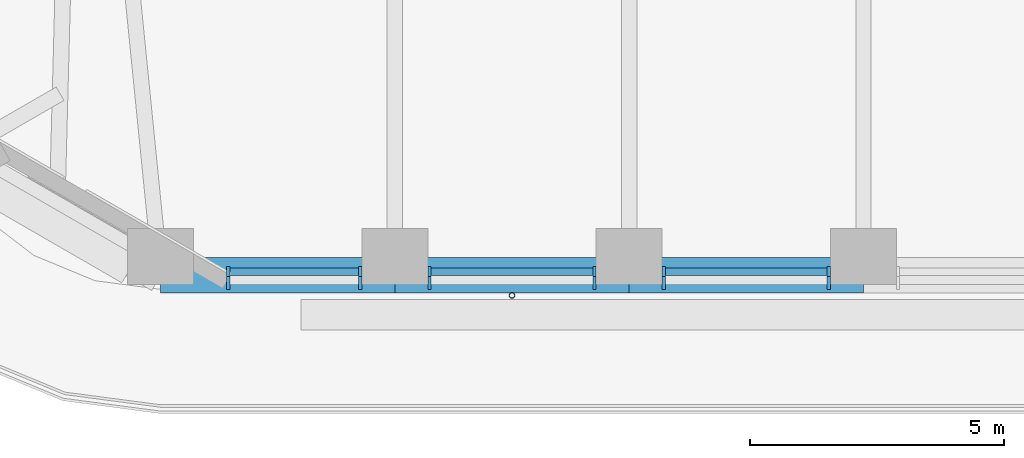
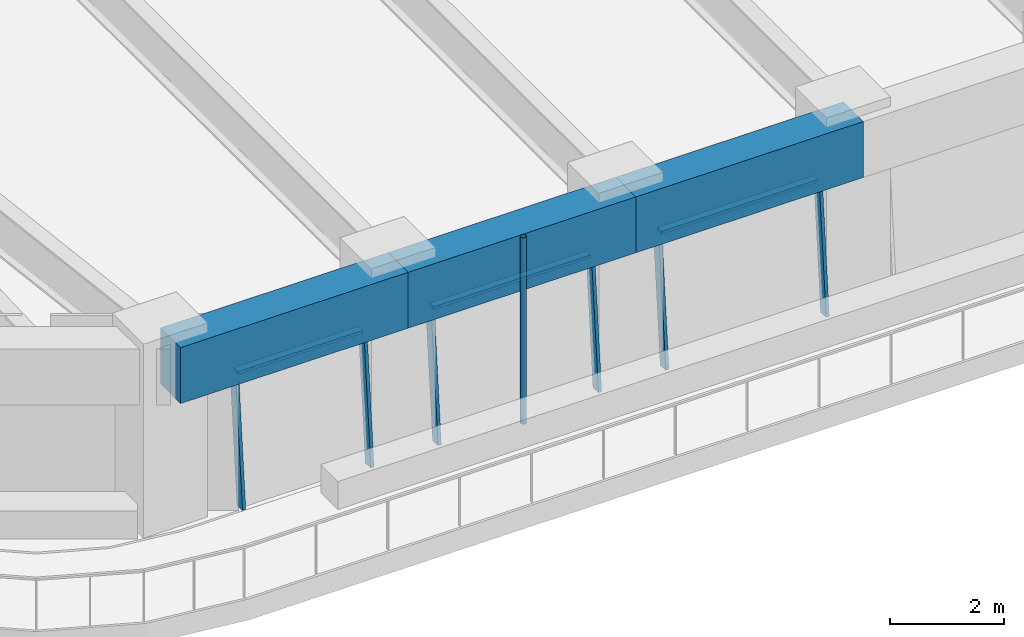
# One storey, part 2 of 20: 10 members, 3 beams, 3 elements without a shape of their own.
"""IFC4 building model written with IfcOpenShell, lengths in metres."""

import ifcopenshell
import ifcopenshell.guid

model = None  # the IFC model being written
_history = None  # IfcOwnerHistory: only IFC2X3 demands one
_inside = {}  # id of a spatial element -> (the spatial element, [elements in it])
_under = {}  # id of a project, library or spatial element -> (it, [spatial elements below it])
_declared = {}  # id of a project -> (the project, [libraries it declares])
_typed = {}  # id of a type object -> (the type object, [elements of that type])
_made_of = {}  # id of a material, layer set ... -> (it, [elements and type objects made of it])


def new_model(schema):
    """Start an empty IFC model of exactly this schema.

    Asked for "IFC4X3", IfcOpenShell would pick the latest addendum, in which some entities
    have other attributes; the version numbers below select the first issue.
    IFC2X3 requires an IfcOwnerHistory on every rooted entity: one is made here for all.
    """
    global model, _history
    if schema == "IFC4X3":
        model = ifcopenshell.file(schema_version=(4, 3, 0, 0))
    else:
        model = ifcopenshell.file(schema=schema)
    _inside.clear()
    _under.clear()
    _declared.clear()
    _typed.clear()
    _made_of.clear()
    _history = None
    if model.schema == "IFC2X3":
        org = make("IfcOrganization", Name="unknown")
        user = make(
            "IfcPersonAndOrganization",
            ThePerson=make("IfcPerson", FamilyName="unknown"),
            TheOrganization=org,
        )
        app = make(
            "IfcApplication",
            ApplicationDeveloper=org,
            Version="unknown",
            ApplicationFullName="unknown",
            ApplicationIdentifier="unknown",
        )
        _history = make(
            "IfcOwnerHistory",
            OwningUser=user,
            OwningApplication=app,
            ChangeAction="ADDED",
            CreationDate=0,
        )
    return model


def make(cls, **values):
    """One entity of the class cls with the attributes given. An attribute that is None is left unset."""
    return model.create_entity(
        cls, **{name: value for name, value in values.items() if value is not None}
    )


def rooted(cls, **values):
    """An entity with a GlobalId (a new one), such as an element, a storey or a relation."""
    return make(cls, GlobalId=ifcopenshell.guid.new(), OwnerHistory=_history, **values)


def si_unit(unit_type, name, prefix=None):
    """IfcSIUnit, for example si_unit("LENGTHUNIT", "METRE", prefix="MILLI")."""
    return make("IfcSIUnit", UnitType=unit_type, Prefix=prefix, Name=name)


def assignment(units):
    """IfcUnitAssignment: the units of a project."""
    return None if units is None else make("IfcUnitAssignment", Units=units)


def point(xyz):
    """IfcCartesianPoint."""
    return None if xyz is None else make("IfcCartesianPoint", Coordinates=xyz)


def direction(xyz):
    """IfcDirection."""
    return None if xyz is None else make("IfcDirection", DirectionRatios=xyz)


def frame(location, z_axis=None, x_axis=None):
    """IfcAxis2Placement3D, a coordinate frame: its origin and axes. An axis left out is left unset."""
    return make(
        "IfcAxis2Placement3D",
        Location=point(location),
        Axis=direction(z_axis),
        RefDirection=direction(x_axis),
    )


def frame_2d(location, x_axis=None):
    """IfcAxis2Placement2D, a coordinate frame in the plane: its origin and x axis."""
    return make(
        "IfcAxis2Placement2D", Location=point(location), RefDirection=direction(x_axis)
    )


def origin():
    """The frame at (0, 0, 0) with its axes left unset."""
    return frame((0.0, 0.0, 0.0))


def origin_2d():
    """The frame at (0, 0) in the plane with its x axis left unset."""
    return frame_2d((0.0, 0.0))


def place(relative_to, where):
    """IfcLocalPlacement: puts the frame where relative to a parent placement (None: the world)."""
    return make(
        "IfcLocalPlacement", PlacementRelTo=relative_to, RelativePlacement=where
    )


def context(
    kind, dimensions, precision=None, world=None, true_north=None, identifier=None
):
    """IfcGeometricRepresentationContext, for example the 3D "Model" context."""
    return make(
        "IfcGeometricRepresentationContext",
        ContextIdentifier=identifier,
        ContextType=kind,
        CoordinateSpaceDimension=dimensions,
        Precision=precision,
        WorldCoordinateSystem=world,
        TrueNorth=true_north,
    )


def subcontext(parent, identifier, kind, view, scale=None):
    """IfcGeometricRepresentationSubContext, for example "Body" below "Model"."""
    return make(
        "IfcGeometricRepresentationSubContext",
        ContextIdentifier=identifier,
        ContextType=kind,
        ParentContext=parent,
        TargetScale=scale,
        TargetView=view,
    )


def project(units=None, contexts=None):
    """IfcProject with its units and contexts."""
    return rooted(
        "IfcProject",
        Name="project",
        RepresentationContexts=contexts,
        UnitsInContext=assignment(units),
    )


def spatial(cls, under=None, at=None, **own):
    """A site, building, storey or space (cls), placed at a placement, below another one or the project."""
    s = rooted(cls, ObjectPlacement=at, **own)
    if under is not None:
        _under.setdefault(under.id(), (under, []))[1].append(s)
    return s


def profile(cls, at=None, kind="AREA", **sizes):
    """A parametric profile (cls). Its sizes go by their IFC names, for example OverallWidth=200.0."""
    return make(cls, ProfileType=kind, Position=at, **sizes)


def rectangle(**sizes):
    """IfcRectangleProfileDef."""
    return profile("IfcRectangleProfileDef", **sizes)


def hollow_circle(**sizes):
    """IfcCircleHollowProfileDef."""
    return profile("IfcCircleHollowProfileDef", **sizes)


def extrude(swept, where, along, depth):
    """IfcExtrudedAreaSolid: the profile swept, set in the frame where, extruded along a direction by depth."""
    return make(
        "IfcExtrudedAreaSolid",
        SweptArea=swept,
        Position=where,
        ExtrudedDirection=direction(along),
        Depth=depth,
    )


def shape(context_of_items, identifier, shape_type, items):
    """IfcShapeRepresentation: the items that make up one representation, for example the "Body"."""
    return make(
        "IfcShapeRepresentation",
        ContextOfItems=context_of_items,
        RepresentationIdentifier=identifier,
        RepresentationType=shape_type,
        Items=items,
    )


def material(Name=None, Category=None):
    """IfcMaterial."""
    return make("IfcMaterial", Name=Name, Category=Category)


def material_profile(
    of_material, cross_section, Name=None, Category=None, Priority=None
):
    """IfcMaterialProfile: a cross section and its material."""
    return make(
        "IfcMaterialProfile",
        Name=Name,
        Material=of_material,
        Profile=cross_section,
        Priority=Priority,
        Category=Category,
    )


def profile_set(profiles, Name=None, composite=None):
    """IfcMaterialProfileSet."""
    return make(
        "IfcMaterialProfileSet",
        Name=Name,
        MaterialProfiles=profiles,
        CompositeProfile=composite,
    )


def made_of(thing, what):
    """Note that an element or type object is made of a material, layer set ...; save() writes the relation."""
    if what is not None:
        _made_of.setdefault(what.id(), (what, []))[1].append(thing)
    return thing


def type_object(cls, material=None, **own):
    """A type object (cls), such as IfcWallType, which elements share."""
    return made_of(rooted(cls, **own), material)


def element(
    cls,
    number,
    at=None,
    inside=None,
    cuts=None,
    type_object=None,
    material=None,
    context=None,
    identifier="Body",
    shape_type=None,
    held_by="IfcProductDefinitionShape",
    body=None,
    shapes=None,
    **own,
):
    """One element of the class cls, such as IfcWall. Its Tag is "e" and its number.

    at: its placement. inside: the storey or other place that contains it. cuts: it is an
    opening in that element (IfcRelVoidsElement). A single representation is given by context,
    identifier, shape_type and body (its items); several are given by shapes. held_by: the class
    of the entity that holds the representations. save() writes the other relations.
    """
    e = rooted(cls, Tag="e%d" % number, ObjectPlacement=at, **own)
    if body is not None:
        shapes = [shape(context, identifier, shape_type, body)]
    if shapes is not None:
        e.Representation = make(held_by, Representations=shapes)
    if inside is not None:
        _inside.setdefault(inside.id(), (inside, []))[1].append(e)
    if cuts is not None:
        rooted(
            "IfcRelVoidsElement", RelatingBuildingElement=cuts, RelatedOpeningElement=e
        )
    if type_object is not None:
        _typed.setdefault(type_object.id(), (type_object, []))[1].append(e)
    return made_of(e, material)


def aggregate(whole, parts):
    """IfcRelAggregates: a whole, such as a stair, and the parts it consists of."""
    return rooted("IfcRelAggregates", RelatingObject=whole, RelatedObjects=parts)


def save(model, path):
    """Write the relations noted so far, then the file.

    IfcRelAggregates (storeys below a building ...), IfcRelContainedInSpatialStructure (elements
    in a storey), IfcRelDefinesByType, IfcRelAssociatesMaterial and IfcRelDeclares: one each for
    every whole, place, type object, material and project.
    """
    for whole, parts in _under.values():
        aggregate(whole, parts)
    for where, things in _inside.values():
        rooted(
            "IfcRelContainedInSpatialStructure",
            RelatedElements=things,
            RelatingStructure=where,
        )
    for kind, things in _typed.values():
        rooted("IfcRelDefinesByType", RelatedObjects=things, RelatingType=kind)
    for what, things in _made_of.values():
        rooted("IfcRelAssociatesMaterial", RelatedObjects=things, RelatingMaterial=what)
    for by, libraries in _declared.values():
        rooted("IfcRelDeclares", RelatingContext=by, RelatedDefinitions=libraries)
    model.write(path)


model = new_model("IFC4")

# Units and contexts
model_context = context("Model", 3, precision=1e-05, world=origin(), true_north=direction((0.0, 1.0)))
body_context = subcontext(model_context, "Body", "Model", "MODEL_VIEW")
ifc_project = project(units=[si_unit("LENGTHUNIT", "METRE"), si_unit("AREAUNIT", "SQUARE_METRE"), si_unit("VOLUMEUNIT", "CUBIC_METRE"), si_unit("PLANEANGLEUNIT", "RADIAN"), si_unit("MASSUNIT", "GRAM", prefix="KILO")], contexts=[model_context])

# Site, building, storey
site_placement = place(None, origin())
site = spatial("IfcSite", under=ifc_project, at=site_placement, CompositionType="ELEMENT")
building_placement = place(site_placement, origin())
building = spatial("IfcBuilding", under=site, at=building_placement, Name="Tarfa Lantern Tower", CompositionType="ELEMENT")
storey_placement = place(building_placement, frame((0.0, 0.0, 253.300048828125)))
storey = spatial("IfcBuildingStorey", under=building, at=storey_placement, Name="L57", CompositionType="ELEMENT", Elevation=253.300048828125)

# Curtain wall, members
ifc_material_1 = material(Name="Aluminium framed curtain wall", Category="aluminium")
curtain_wall_type = type_object("IfcCurtainWallType", Name="CW3 CANTED GLAZING HIGH ZONE 2800", PredefinedType="USERDEFINED", material=ifc_material_1)
curtain_wall_1_placement = place(storey_placement, origin())
curtain_wall_1 = element("IfcCurtainWall", 1, at=curtain_wall_1_placement, inside=storey, type_object=curtain_wall_type, Name="CW3 S L57", ObjectType="CURTAIN WALL", PredefinedType="USERDEFINED")
ifc_material_2 = material(Name="Aluminium mullion", Category="aluminium")
ifc_material_profile_1 = material_profile(ifc_material_2, rectangle(XDim=0.06494140625, YDim=0.199951171875, at=origin_2d()), Name="AL MULLION 65x200")
ifc_profile_set_1 = profile_set([ifc_material_profile_1], Name="Aluminium mullion")
member_type_1 = type_object("IfcMemberType", Name="CWM1 MULLION 65x200", PredefinedType="MULLION", material=ifc_profile_set_1)
member_1_placement = place(storey_placement, frame((-12.52392578125, -28.89990234375, 0.0), z_axis=(0.0, 0.088930399417, 0.996037842685), x_axis=(-1.0, 0.0, 0.0)))
member_1 = element("IfcMember", 2, at=member_1_placement, type_object=member_type_1, Name="CW3 mullion 1", PredefinedType="MULLION", context=body_context, shape_type="SweptSolid", body=[
    extrude(rectangle(XDim=0.06494140625, YDim=0.199951171875, at=origin_2d()), origin(), (0.0, 0.0, 1.0), 2.811279296875),
])
member_2_placement = place(storey_placement, frame((-9.920166015625, -28.89990234375, 0.0), z_axis=(0.0, 0.088930399417, 0.996037842685), x_axis=(-1.0, 0.0, 0.0)))
member_2 = element("IfcMember", 3, at=member_2_placement, type_object=member_type_1, Name="CW3 mullion 2", PredefinedType="MULLION", context=body_context, shape_type="SweptSolid", body=[
    extrude(rectangle(XDim=0.06494140625, YDim=0.199951171875, at=origin_2d()), origin(), (0.0, 0.0, 1.0), 2.811279296875),
])

curtain_wall_2_placement = place(storey_placement, origin())
curtain_wall_2 = element("IfcCurtainWall", 4, at=curtain_wall_2_placement, inside=storey, type_object=curtain_wall_type, Name="CW3 S L57", ObjectType="CURTAIN WALL", PredefinedType="USERDEFINED")
member_3_placement = place(storey_placement, frame((-8.55517578125, -28.89990234375, 0.0), z_axis=(0.0, 0.088930399417, 0.996037842685), x_axis=(-1.0, 0.0, 0.0)))
member_3 = element("IfcMember", 5, at=member_3_placement, type_object=member_type_1, Name="CW3 mullion 1", PredefinedType="MULLION", context=body_context, shape_type="SweptSolid", body=[
    extrude(rectangle(XDim=0.06494140625, YDim=0.199951171875, at=origin_2d()), origin(), (0.0, 0.0, 1.0), 2.811279296875),
])
member_4_placement = place(storey_placement, frame((-5.30126953125, -28.89990234375, 0.0), z_axis=(0.0, 0.088930399417, 0.996037842685), x_axis=(-1.0, 0.0, 0.0)))
member_4 = element("IfcMember", 6, at=member_4_placement, type_object=member_type_1, Name="CW3 mullion 2", PredefinedType="MULLION", context=body_context, shape_type="SweptSolid", body=[
    extrude(rectangle(XDim=0.06494140625, YDim=0.199951171875, at=origin_2d()), origin(), (0.0, 0.0, 1.0), 2.811279296875),
])

curtain_wall_3_placement = place(storey_placement, origin())
curtain_wall_3 = element("IfcCurtainWall", 7, at=curtain_wall_3_placement, inside=storey, type_object=curtain_wall_type, Name="CW3 S L57", ObjectType="CURTAIN WALL", PredefinedType="USERDEFINED")
member_5_placement = place(storey_placement, frame((-3.936279296875, -28.89990234375, 0.0), z_axis=(0.0, 0.088930399417, 0.996037842685), x_axis=(-1.0, 0.0, 0.0)))
member_5 = element("IfcMember", 8, at=member_5_placement, type_object=member_type_1, Name="CW3 mullion 1", PredefinedType="MULLION", context=body_context, shape_type="SweptSolid", body=[
    extrude(rectangle(XDim=0.06494140625, YDim=0.199951171875, at=origin_2d()), origin(), (0.0, 0.0, 1.0), 2.811279296875),
])
member_6_placement = place(storey_placement, frame((-0.6826171875, -28.89990234375, 0.0), z_axis=(0.0, 0.088930399417, 0.996037842685), x_axis=(-1.0, 0.0, 0.0)))
member_6 = element("IfcMember", 9, at=member_6_placement, type_object=member_type_1, Name="CW3 mullion 2", PredefinedType="MULLION", context=body_context, shape_type="SweptSolid", body=[
    extrude(rectangle(XDim=0.06494140625, YDim=0.199951171875, at=origin_2d()), origin(), (0.0, 0.0, 1.0), 2.811279296875),
])

# Member
ifc_material_3 = material(Name="Aluminium transom", Category="aluminium")
ifc_material_profile_2 = material_profile(ifc_material_3, rectangle(XDim=0.14990234375, YDim=0.06494140625, at=origin_2d()), Name="AL TRANSOM 150x65")
ifc_profile_set_2 = profile_set([ifc_material_profile_2], Name="Aluminium transom")
member_type_2 = type_object("IfcMemberType", Name="CWT1 TRANSOM 150x65", PredefinedType="USERDEFINED", material=ifc_profile_set_2)
member_7_placement = place(storey_placement, frame((-12.491455078125, -28.65283203125, 2.767333984375), z_axis=(1.0, 0.0, 0.0), x_axis=(0.0, 1.0, 0.0)))
member_7 = element("IfcMember", 10, at=member_7_placement, type_object=member_type_2, Name="CW3 transom 1.2", ObjectType="TRANSOM", PredefinedType="USERDEFINED", context=body_context, shape_type="SweptSolid", body=[
    extrude(rectangle(XDim=0.14990234375, YDim=0.06494140625, at=origin_2d()), origin(), (0.0, 0.0, 1.0), 2.538818359375),
])

aggregate(curtain_wall_1, [member_1, member_2, member_7])

member_8_placement = place(storey_placement, frame((-8.522705078125, -28.65283203125, 2.767333984375), z_axis=(1.0, 0.0, 0.0), x_axis=(0.0, 1.0, 0.0)))
member_8 = element("IfcMember", 11, at=member_8_placement, type_object=member_type_2, Name="CW3 transom 1.2", ObjectType="TRANSOM", PredefinedType="USERDEFINED", context=body_context, shape_type="SweptSolid", body=[
    extrude(rectangle(XDim=0.14990234375, YDim=0.06494140625, at=origin_2d()), origin(), (0.0, 0.0, 1.0), 3.18896484375),
])

aggregate(curtain_wall_2, [member_3, member_4, member_8])

member_9_placement = place(storey_placement, frame((-3.90380859375, -28.65283203125, 2.767333984375), z_axis=(1.0, 0.0, 0.0), x_axis=(0.0, 1.0, 0.0)))
member_9 = element("IfcMember", 12, at=member_9_placement, type_object=member_type_2, Name="CW3 transom 1.2", ObjectType="TRANSOM", PredefinedType="USERDEFINED", context=body_context, shape_type="SweptSolid", body=[
    extrude(rectangle(XDim=0.14990234375, YDim=0.06494140625, at=origin_2d()), origin(), (0.0, 0.0, 1.0), 3.188720703125),
])

aggregate(curtain_wall_3, [member_5, member_6, member_9])

# Beams
ifc_material_4 = material(Name="Concrete C80/95", Category="concrete")
ifc_material_profile_3 = material_profile(ifc_material_4, rectangle(XDim=0.699951171875, YDim=1.199951171875, at=origin_2d()), Name="RC 700x1200")
ifc_profile_set_3 = profile_set([ifc_material_profile_3], Name="Concrete C80/95")
beam_type = type_object("IfcBeamType", Name="EB3 RC 700x1200", PredefinedType="SPANDREL", material=ifc_profile_set_3)
beam_1_placement = place(storey_placement, frame((-13.8564453125, -28.719970703125, 3.39990234375), z_axis=(1.0, 0.0, 0.0), x_axis=(0.0, 1.0, 0.0)))
element("IfcBeam", 13, at=beam_1_placement, inside=storey, type_object=beam_type, Name="Edge beam S0", PredefinedType="SPANDREL", context=body_context, shape_type="SweptSolid", body=[
    extrude(rectangle(XDim=0.699951171875, YDim=1.199951171875, at=origin_2d()), origin(), (0.0, 0.0, 1.0), 4.618896484375),
])
beam_2_placement = place(storey_placement, frame((-9.237548828125, -28.719970703125, 3.39990234375), z_axis=(1.0, 0.0, 0.0), x_axis=(0.0, 1.0, 0.0)))
element("IfcBeam", 14, at=beam_2_placement, inside=storey, type_object=beam_type, Name="Edge beam S1", PredefinedType="SPANDREL", context=body_context, shape_type="SweptSolid", body=[
    extrude(rectangle(XDim=0.699951171875, YDim=1.199951171875, at=origin_2d()), origin(), (0.0, 0.0, 1.0), 4.61865234375),
])
beam_3_placement = place(storey_placement, frame((-4.618896484375, -28.719970703125, 3.39990234375), z_axis=(1.0, 0.0, 0.0), x_axis=(0.0, 1.0, 0.0)))
element("IfcBeam", 15, at=beam_3_placement, inside=storey, type_object=beam_type, Name="Edge beam S2", PredefinedType="SPANDREL", context=body_context, shape_type="SweptSolid", body=[
    extrude(rectangle(XDim=0.699951171875, YDim=1.199951171875, at=origin_2d()), origin(), (0.0, 0.0, 1.0), 4.618896484375),
])

# Member
ifc_material_5 = material(Name="Steel S355", Category="steel")
ifc_material_profile_4 = material_profile(ifc_material_5, hollow_circle(Radius=0.05712890625, WallThickness=0.00634765625, at=origin_2d()), Name="CHS114.3x6.3")
ifc_profile_set_4 = profile_set([ifc_material_profile_4], Name="Steel S355")
member_type_3 = type_object("IfcMemberType", Name="TR1 GREEN WALL TRELLIS CHS114.3x6.3", PredefinedType="USERDEFINED", material=ifc_profile_set_4)
member_10_placement = place(storey_placement, frame((-6.92822265625, -29.1201171875, 0.0), z_axis=(0.0, 0.0, 1.0), x_axis=(1.0, 0.0, 0.0)))
element("IfcMember", 16, at=member_10_placement, inside=storey, type_object=member_type_3, Name="Trellis post S 1", ObjectType="TRELLIS", PredefinedType="USERDEFINED", context=body_context, shape_type="SweptSolid", body=[
    extrude(hollow_circle(Radius=0.05712890625, WallThickness=0.00634765625, at=origin_2d()), origin(), (0.0, 0.0, 1.0), 4.0),
])

save(model, "model.ifc")
